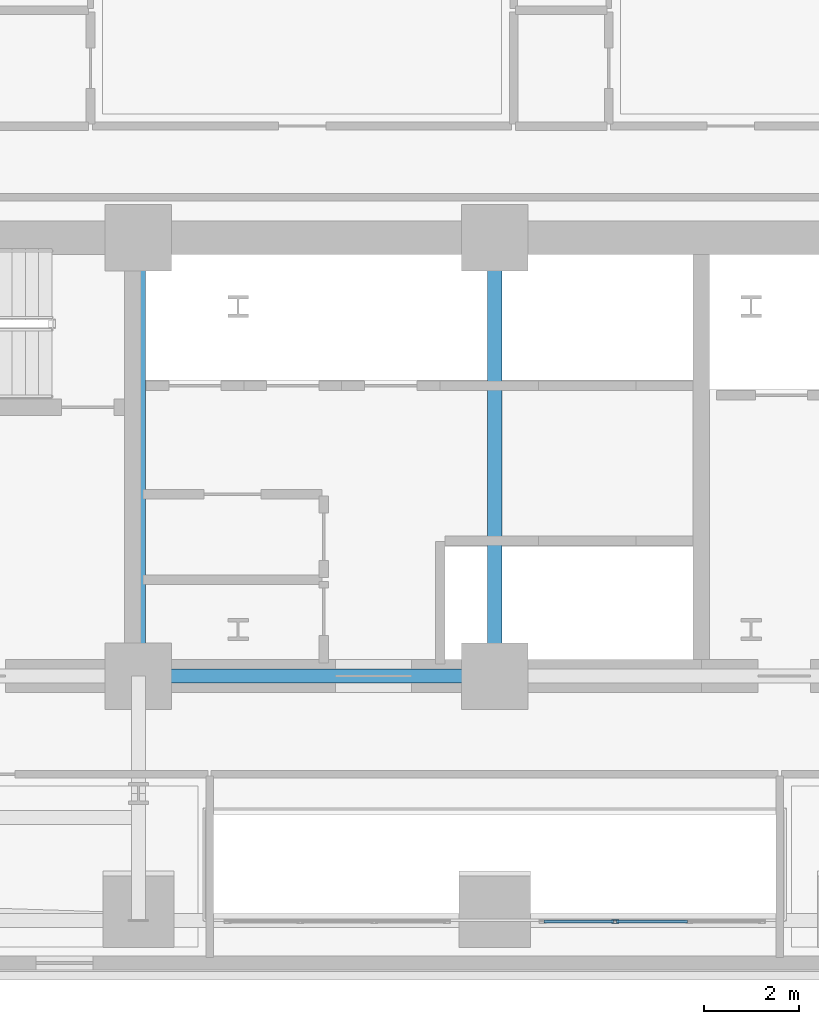
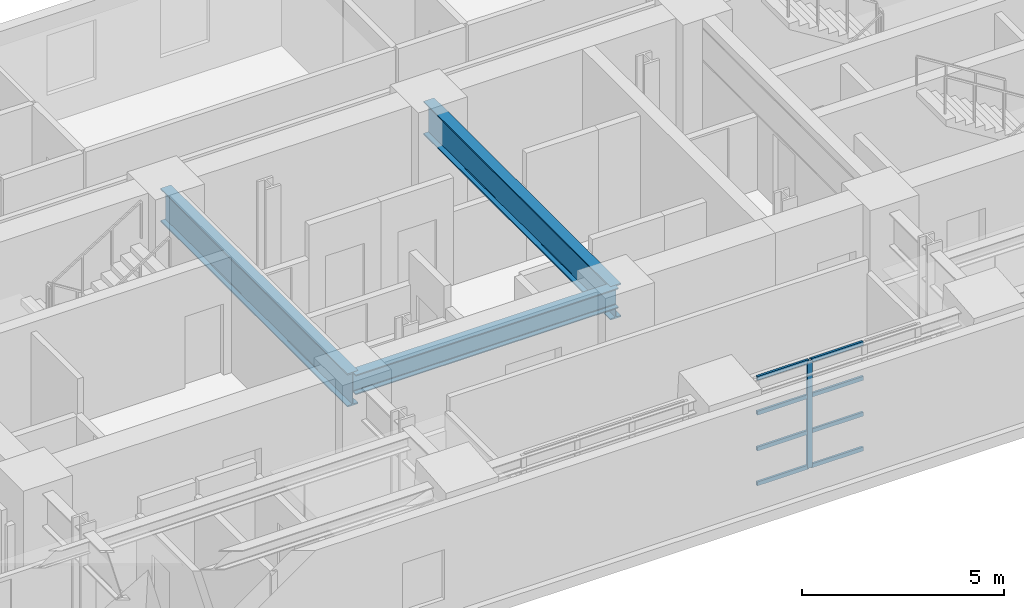
# One storey, part 3 of 15: 9 members, 3 beams, 1 element without a shape of its own.
"""IFC4 building model written with IfcOpenShell, lengths in metres."""

from ifc_helpers import new_model, si_unit, direction, frame, origin, origin_2d, place, context, subcontext, project, spatial, hollow_rectangle, i_section, extrude, material, layer, layer_set, material_profile, profile_set, type_object, element, aggregate, save


model = new_model("IFC4")

# Units and contexts
model_context = context("Model", 3, precision=1e-05, world=origin(), true_north=direction((0.0, 1.0)))
body_context = subcontext(model_context, "Body", "Model", "MODEL_VIEW")
ifc_project = project(units=[si_unit("LENGTHUNIT", "METRE"), si_unit("AREAUNIT", "SQUARE_METRE"), si_unit("VOLUMEUNIT", "CUBIC_METRE"), si_unit("PLANEANGLEUNIT", "RADIAN"), si_unit("MASSUNIT", "GRAM", prefix="KILO")], contexts=[model_context])

# Site, building, storey
site_placement = place(None, origin())
site = spatial("IfcSite", under=ifc_project, at=site_placement, CompositionType="ELEMENT")
building_placement = place(site_placement, origin())
building = spatial("IfcBuilding", under=site, at=building_placement, Name="Zarnavel Station Tower", CompositionType="ELEMENT")
storey_placement = place(building_placement, frame((0.0, 0.0, 36.0)))
storey = spatial("IfcBuildingStorey", under=building, at=storey_placement, Name="L09", CompositionType="ELEMENT", Elevation=36.0)

# Curtain wall, members
ifc_material_1 = material(Name="Aluminium Dark Anodised and Solar-Control Glass", Category="aluminium")
ifc_layer = layer(ifc_material_1, 0.179931640625)
ifc_layer_set = layer_set([ifc_layer], Name="CWS2")
curtain_wall_type = type_object("IfcCurtainWallType", Name="CWS2", PredefinedType="NOTDEFINED", material=ifc_layer_set)
curtain_wall_placement = place(storey_placement, origin())
curtain_wall = element("IfcCurtainWall", 1, at=curtain_wall_placement, inside=storey, type_object=curtain_wall_type, Name="L09 Curtain Wall CWS2-L09-AS-S2", PredefinedType="NOTDEFINED")
ifc_material_2 = material(Name="Steel S355J2 (Black Fluoropolymer Coated)", Category="steel")
ifc_material_profile_1 = material_profile(ifc_material_2, hollow_rectangle(XDim=0.074951171875, YDim=0.14990234375, WallThickness=0.00634765625, at=origin_2d()), Name="RHS150x75x6.3")
ifc_profile_set_1 = profile_set([ifc_material_profile_1], Name="Steel S355J2 (Black Fluoropolymer Coated)")
member_type_1 = type_object("IfcMemberType", Name="CWS2_MUL", PredefinedType="MULLION", material=ifc_profile_set_1)
member_1_placement = place(storey_placement, frame((31.336669921875, 22.64990234375, 0.0), z_axis=(0.0, 0.0, 1.0), x_axis=(0.0, 1.0, 0.0)))
member_1 = element("IfcMember", 2, at=member_1_placement, type_object=member_type_1, Name="CW2 mullion 2", PredefinedType="MULLION", context=body_context, shape_type="SweptSolid", body=[
    extrude(hollow_rectangle(XDim=0.074951171875, YDim=0.14990234375, WallThickness=0.00634765625, at=origin_2d()), origin(), (0.0, 0.0, 1.0), 3.239990234375),
])
ifc_material_3 = material(Name="Steel S355J2 (Black Fluoropolymer Coated)", Category="steel")
ifc_material_profile_2 = material_profile(ifc_material_3, hollow_rectangle(XDim=0.06005859375, YDim=0.1201171875, WallThickness=0.0048828125, at=origin_2d()), Name="RHS120x60x5")
ifc_profile_set_2 = profile_set([ifc_material_profile_2], Name="Steel S355J2 (Black Fluoropolymer Coated)")
member_type_2 = type_object("IfcMemberType", Name="CWS2_TRN", PredefinedType="USERDEFINED", material=ifc_profile_set_2)
member_2_placement = place(storey_placement, frame((29.840087890625, 22.64990234375, 0.030029296875), z_axis=(1.0, 0.0, 0.0), x_axis=(0.0, 1.0, 0.0)))
member_2 = element("IfcMember", 3, at=member_2_placement, type_object=member_type_2, Name="CW2 transom 1.1", ObjectType="TRANSOM", PredefinedType="USERDEFINED", context=body_context, shape_type="SweptSolid", body=[
    extrude(hollow_rectangle(XDim=0.06005859375, YDim=0.1201171875, WallThickness=0.0048828125, at=origin_2d()), origin(), (0.0, 0.0, 1.0), 1.466552734375),
])
member_3_placement = place(storey_placement, frame((29.840087890625, 22.64990234375, 1.080078125), z_axis=(1.0, 0.0, 0.0), x_axis=(0.0, 1.0, 0.0)))
member_3 = element("IfcMember", 4, at=member_3_placement, type_object=member_type_2, Name="CW2 transom 1.2", ObjectType="TRANSOM", PredefinedType="USERDEFINED", context=body_context, shape_type="SweptSolid", body=[
    extrude(hollow_rectangle(XDim=0.06005859375, YDim=0.1201171875, WallThickness=0.0048828125, at=origin_2d()), origin(), (0.0, 0.0, 1.0), 1.466552734375),
])
member_4_placement = place(storey_placement, frame((29.840087890625, 22.64990234375, 2.159912109375), z_axis=(1.0, 0.0, 0.0), x_axis=(0.0, 1.0, 0.0)))
member_4 = element("IfcMember", 5, at=member_4_placement, type_object=member_type_2, Name="CW2 transom 1.3", ObjectType="TRANSOM", PredefinedType="USERDEFINED", context=body_context, shape_type="SweptSolid", body=[
    extrude(hollow_rectangle(XDim=0.06005859375, YDim=0.1201171875, WallThickness=0.0048828125, at=origin_2d()), origin(), (0.0, 0.0, 1.0), 1.466552734375),
])
member_5_placement = place(storey_placement, frame((29.840087890625, 22.64990234375, 3.2099609375), z_axis=(1.0, 0.0, 0.0), x_axis=(0.0, 1.0, 0.0)))
member_5 = element("IfcMember", 6, at=member_5_placement, type_object=member_type_2, Name="CW2 transom 1.4", ObjectType="TRANSOM", PredefinedType="USERDEFINED", context=body_context, shape_type="SweptSolid", body=[
    extrude(hollow_rectangle(XDim=0.06005859375, YDim=0.1201171875, WallThickness=0.0048828125, at=origin_2d()), origin(), (0.0, 0.0, 1.0), 1.466552734375),
])
member_6_placement = place(storey_placement, frame((31.36669921875, 22.64990234375, 0.030029296875), z_axis=(1.0, 0.0, 0.0), x_axis=(0.0, 1.0, 0.0)))
member_6 = element("IfcMember", 7, at=member_6_placement, type_object=member_type_2, Name="CW2 transom 2.1", ObjectType="TRANSOM", PredefinedType="USERDEFINED", context=body_context, shape_type="SweptSolid", body=[
    extrude(hollow_rectangle(XDim=0.06005859375, YDim=0.1201171875, WallThickness=0.0048828125, at=origin_2d()), origin(), (0.0, 0.0, 1.0), 1.49658203125),
])
member_7_placement = place(storey_placement, frame((31.36669921875, 22.64990234375, 1.080078125), z_axis=(1.0, 0.0, 0.0), x_axis=(0.0, 1.0, 0.0)))
member_7 = element("IfcMember", 8, at=member_7_placement, type_object=member_type_2, Name="CW2 transom 2.2", ObjectType="TRANSOM", PredefinedType="USERDEFINED", context=body_context, shape_type="SweptSolid", body=[
    extrude(hollow_rectangle(XDim=0.06005859375, YDim=0.1201171875, WallThickness=0.0048828125, at=origin_2d()), origin(), (0.0, 0.0, 1.0), 1.49658203125),
])
member_8_placement = place(storey_placement, frame((31.36669921875, 22.64990234375, 2.159912109375), z_axis=(1.0, 0.0, 0.0), x_axis=(0.0, 1.0, 0.0)))
member_8 = element("IfcMember", 9, at=member_8_placement, type_object=member_type_2, Name="CW2 transom 2.3", ObjectType="TRANSOM", PredefinedType="USERDEFINED", context=body_context, shape_type="SweptSolid", body=[
    extrude(hollow_rectangle(XDim=0.06005859375, YDim=0.1201171875, WallThickness=0.0048828125, at=origin_2d()), origin(), (0.0, 0.0, 1.0), 1.49658203125),
])
member_9_placement = place(storey_placement, frame((31.36669921875, 22.64990234375, 3.2099609375), z_axis=(1.0, 0.0, 0.0), x_axis=(0.0, 1.0, 0.0)))
member_9 = element("IfcMember", 10, at=member_9_placement, type_object=member_type_2, Name="CW2 transom 2.4", ObjectType="TRANSOM", PredefinedType="USERDEFINED", context=body_context, shape_type="SweptSolid", body=[
    extrude(hollow_rectangle(XDim=0.06005859375, YDim=0.1201171875, WallThickness=0.0048828125, at=origin_2d()), origin(), (0.0, 0.0, 1.0), 1.49658203125),
])
aggregate(curtain_wall, [member_1, member_2, member_3, member_4, member_5, member_6, member_7, member_8, member_9])

# Beams
ifc_material_4 = material(Name="Steel S355J2", Category="steel")
ifc_material_profile_3 = material_profile(ifc_material_4, i_section(OverallWidth=0.300048828125, OverallDepth=0.60009765625, WebThickness=0.015380859375, FlangeThickness=0.030029296875, FilletRadius=0.027099609375, at=origin_2d()), Name="HEB600")
ifc_profile_set_3 = profile_set([ifc_material_profile_3], Name="Steel S355J2")
beam_type_1 = type_object("IfcBeamType", Name="FG_HEB600", PredefinedType="USERDEFINED", material=ifc_profile_set_3)
beam_placement = place(storey_placement, frame((21.300048828125, 27.820068359375, 2.93994140625), z_axis=(1.0, 0.0, 0.0), x_axis=(0.0, 1.0, 0.0)))
element("IfcBeam", 11, at=beam_placement, inside=storey, type_object=beam_type_1, Name="L09 Core Front Coupling Beam 2", ObjectType="GIRDER", PredefinedType="USERDEFINED", context=body_context, shape_type="SweptSolid", body=[
    extrude(i_section(OverallWidth=0.300048828125, OverallDepth=0.60009765625, WebThickness=0.015380859375, FlangeThickness=0.030029296875, FilletRadius=0.027099609375, at=origin_2d()), origin(), (0.0, 0.0, 1.0), 7.5),
])
ifc_material_5 = material(Name="Steel S460M", Category="steel")
ifc_material_profile_4 = material_profile(ifc_material_5, i_section(OverallWidth=0.302001953125, OverallDepth=1.008056640625, WebThickness=0.02099609375, FlangeThickness=0.0400390625, FilletRadius=0.030029296875, at=origin_2d()), Name="HEM1000")
ifc_profile_set_4 = profile_set([ifc_material_profile_4], Name="Steel S460M")
beam_type_2 = type_object("IfcBeamType", Name="TG_HEM1000", PredefinedType="USERDEFINED", material=ifc_profile_set_4)
for number, where, z_axis, x_axis, name in (
    (12, (21.300048828125, 27.820068359375, 2.736083984375), (0.0, 1.0, 0.0), (-1.0, 0.0, 0.0), "L09 Core Spine Coupling Girder 2"),
    (13, (28.800048828125, 27.820068359375, 2.736083984375), (0.0, 1.0, 0.0), (-1.0, 0.0, 0.0), "L09 Core Spine Coupling Girder 3"),
):
    element("IfcBeam", number, at=place(storey_placement, frame(where, z_axis=z_axis, x_axis=x_axis)), inside=storey, type_object=beam_type_2, Name=name, ObjectType="GIRDER", PredefinedType="USERDEFINED", context=body_context, shape_type="SweptSolid", body=[
        extrude(i_section(OverallWidth=0.302001953125, OverallDepth=1.008056640625, WebThickness=0.02099609375, FlangeThickness=0.0400390625, FilletRadius=0.030029296875, at=origin_2d()), origin(), (0.0, 0.0, 1.0), 9.22998046875),
    ])

save(model, "model.ifc")
